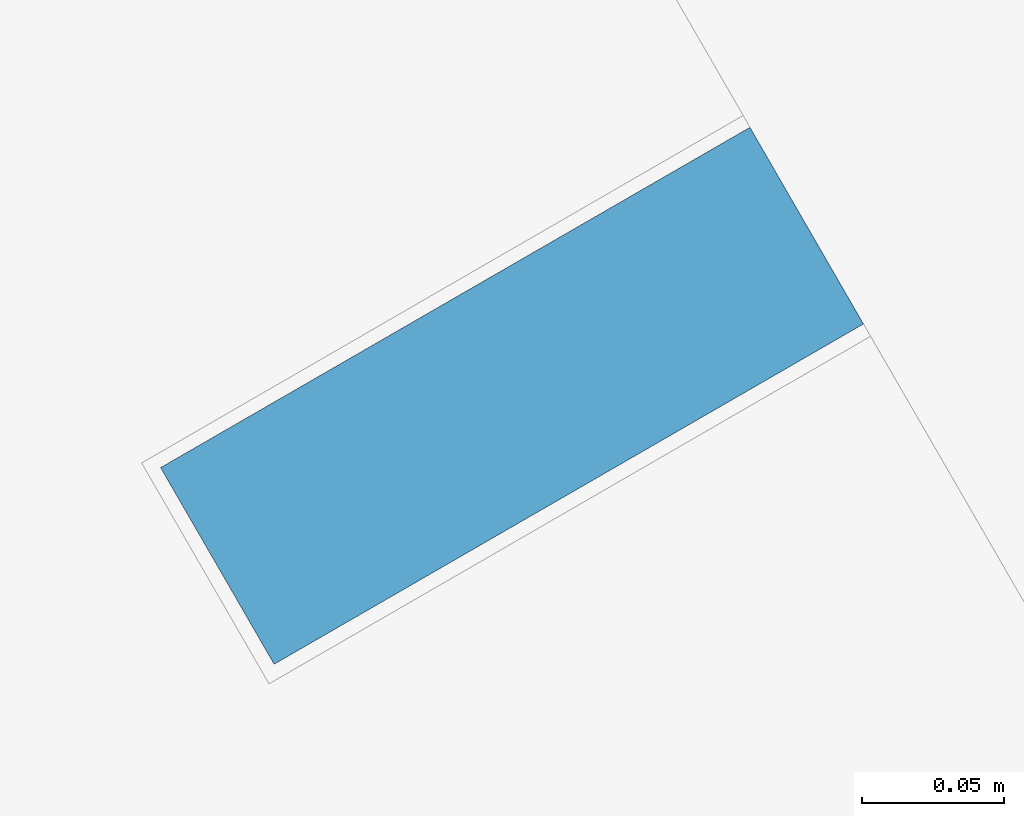
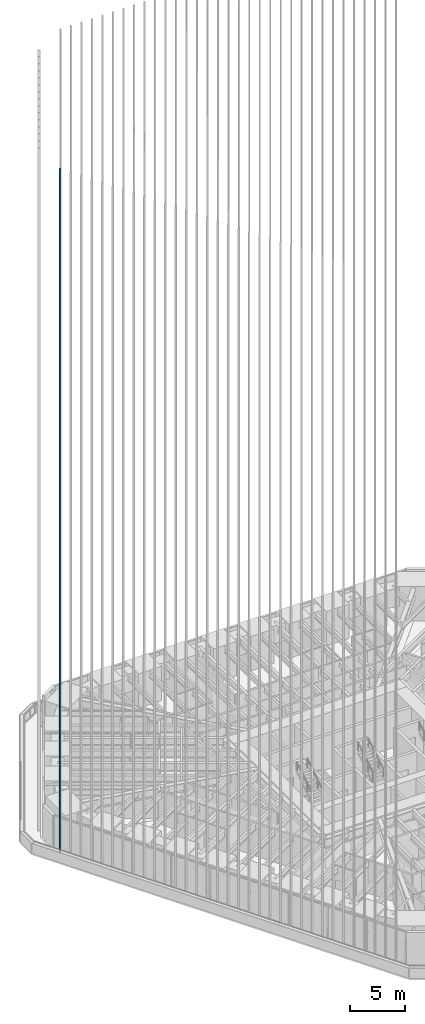
# One storey, part 122 of 238: 1 member, 1 element without a shape of its own.
"""IFC4 building model written with IfcOpenShell, lengths in metres."""

from ifc_helpers import new_model, si_unit, direction, frame, origin, origin_2d, place, context, subcontext, project, spatial, rectangle, extrude, material, material_profile, profile_set, type_object, element, aggregate, save


model = new_model("IFC4")

# Units and contexts
model_context = context("Model", 3, precision=1e-05, world=origin(), true_north=direction((0.0, 1.0)))
body_context = subcontext(model_context, "Body", "Model", "MODEL_VIEW")
ifc_project = project(units=[si_unit("LENGTHUNIT", "METRE"), si_unit("AREAUNIT", "SQUARE_METRE"), si_unit("VOLUMEUNIT", "CUBIC_METRE"), si_unit("PLANEANGLEUNIT", "RADIAN"), si_unit("MASSUNIT", "GRAM", prefix="KILO")], contexts=[model_context])

# Site, building, storey
site_placement = place(None, origin())
site = spatial("IfcSite", under=ifc_project, at=site_placement, CompositionType="ELEMENT")
building_placement = place(site_placement, origin())
building = spatial("IfcBuilding", under=site, at=building_placement, Name="Sandreach Pilgrim Tower", CompositionType="ELEMENT")
storey_placement = place(building_placement, frame((0.0, 0.0, 96.800048828125)))
storey = spatial("IfcBuildingStorey", under=building, at=storey_placement, Name="L23", CompositionType="ELEMENT", Elevation=96.800048828125)

# Curtain wall, member
ifc_material_1 = material(Name="Aluminium framed curtain wall", Category="aluminium")
curtain_wall_type = type_object("IfcCurtainWallType", Name="Hotel tower curtain wall", PredefinedType="NOTDEFINED", material=ifc_material_1)
curtain_wall_placement = place(storey_placement, origin())
curtain_wall = element("IfcCurtainWall", 1, at=curtain_wall_placement, inside=storey, type_object=curtain_wall_type, Name="CW-2 L23 SW", PredefinedType="NOTDEFINED")
ifc_material_2 = material(Name="Extruded terracotta on aluminium core", Category="masonry")
ifc_material_profile = material_profile(ifc_material_2, rectangle(XDim=0.080078125, YDim=0.239990234375, at=origin_2d()), Name="TBW 80X240")
ifc_profile_set = profile_set([ifc_material_profile], Name="Extruded terracotta on aluminium core")
member_type = type_object("IfcMemberType", Name="Terracotta baguette west", PredefinedType="USERDEFINED", material=ifc_profile_set)
member_placement = place(storey_placement, frame((-28.6552734375, 3.8046875, 0.0), z_axis=(0.0, 0.0, 1.0), x_axis=(-0.5, 0.866025403784, 0.0)))
member = element("IfcMember", 2, at=member_placement, type_object=member_type, Name="Baguette Z2 SW33", ObjectType="BAGUETTE", PredefinedType="USERDEFINED", context=body_context, shape_type="SweptSolid", body=[
    extrude(rectangle(XDim=0.080078125, YDim=0.239990234375, at=origin_2d()), origin(), (0.0, 0.0, 1.0), 75.83984375),
])
aggregate(curtain_wall, [member])

save(model, "model.ifc")
